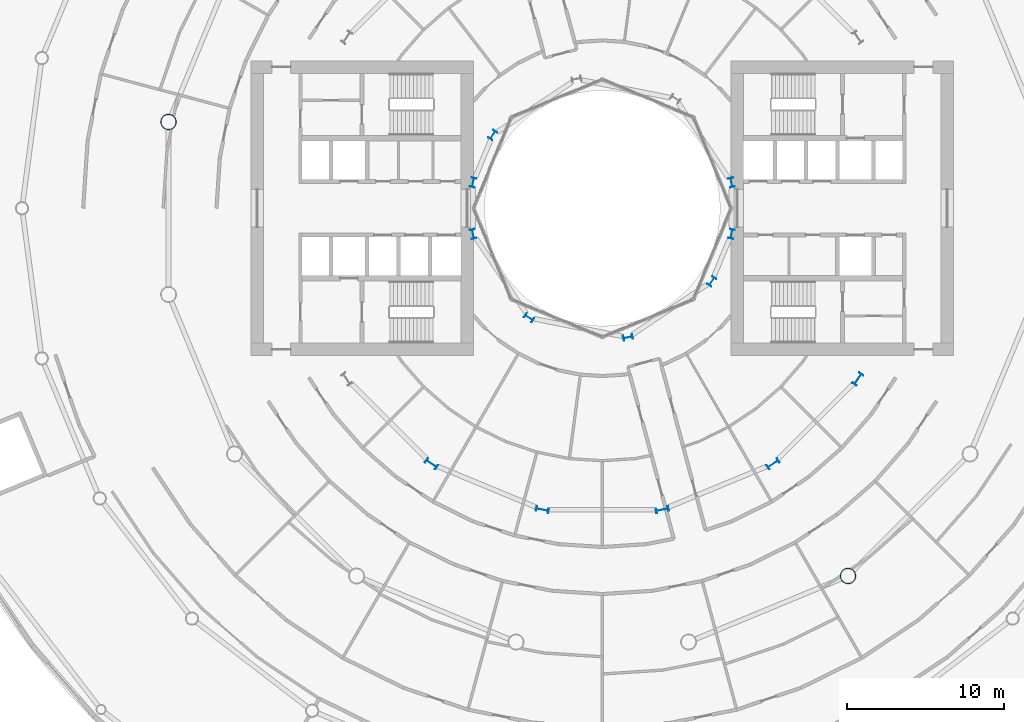
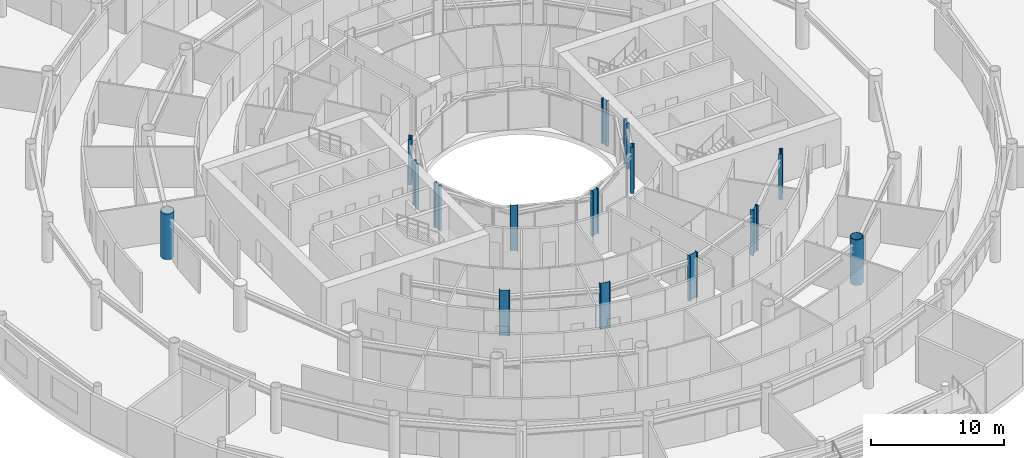
# One storey, part 2 of 29: 15 columns.
"""IFC4 building model written with IfcOpenShell, lengths in metres."""

from ifc_helpers import new_model, si_unit, direction, frame, origin, origin_2d, place, context, subcontext, project, spatial, hollow_circle, i_section, extrude, material, material_profile, profile_set, type_object, element, save


model = new_model("IFC4")

# Units and contexts
model_context = context("Model", 3, precision=1e-05, world=origin(), true_north=direction((0.0, 1.0)))
body_context = subcontext(model_context, "Body", "Model", "MODEL_VIEW")
ifc_project = project(units=[si_unit("LENGTHUNIT", "METRE"), si_unit("AREAUNIT", "SQUARE_METRE"), si_unit("VOLUMEUNIT", "CUBIC_METRE"), si_unit("PLANEANGLEUNIT", "RADIAN"), si_unit("MASSUNIT", "GRAM", prefix="KILO")], contexts=[model_context])

# Site, building, storey
site_placement = place(None, origin())
site = spatial("IfcSite", under=ifc_project, at=site_placement, CompositionType="ELEMENT")
building_placement = place(site_placement, origin())
building = spatial("IfcBuilding", under=site, at=building_placement, Name="Maasbend Ring Residences", CompositionType="ELEMENT")
storey_placement = place(building_placement, frame((0.0, 0.0, 5.39990234375)))
storey = spatial("IfcBuildingStorey", under=building, at=storey_placement, Name="L01", CompositionType="ELEMENT", Elevation=5.39990234375)

# Columns
ifc_material_1 = material(Name="Composite concrete-filled steel tube S460NH / C80/95", Category="concrete")
ifc_material_profile_1 = material_profile(ifc_material_1, hollow_circle(Radius=0.508056640625, WallThickness=0.050048828125, at=origin_2d()), Name="Composite tube column CHS 1016x50")
ifc_profile_set_1 = profile_set([ifc_material_profile_1], Name="Composite concrete-filled steel tube S460NH / C80/95")
column_type_1 = type_object("IfcColumnType", Name="Composite tube column CHS 1016x50", PredefinedType="COLUMN", material=ifc_profile_set_1)
for number, where, z_axis, x_axis, name in (
    (1, (-27.658203125, 5.50146484375, 0.0), (0.0, 0.0, 1.0), (1.0, 0.0, 0.0), "Outer column R8"),
    (2, (15.6669921875, -23.447509765625, 0.0), (0.0, 0.0, 1.0), (1.0, 0.0, 0.0), "Outer column R14"),
):
    element("IfcColumn", number, at=place(storey_placement, frame(where, z_axis=z_axis, x_axis=x_axis)), inside=storey, type_object=column_type_1, Name=name, PredefinedType="COLUMN", context=body_context, shape_type="SweptSolid", body=[
        extrude(hollow_circle(Radius=0.508056640625, WallThickness=0.050048828125, at=origin_2d()), origin(), (0.0, 0.0, 1.0), 4.2001953125),
    ])
ifc_material_2 = material(Name="Steel S460M", Category="steel")
ifc_material_profile_2 = material_profile(ifc_material_2, i_section(OverallWidth=0.300048828125, OverallDepth=0.60009765625, WebThickness=0.015380859375, FlangeThickness=0.030029296875, FilletRadius=0.027099609375, at=origin_2d()), Name="HEB 600")
ifc_profile_set_2 = profile_set([ifc_material_profile_2], Name="Steel S460M")
column_type_2 = type_object("IfcColumnType", Name="Steel column HEB 600", PredefinedType="COLUMN", material=ifc_profile_set_2)
for number, where, z_axis, x_axis, name in (
    (3, (8.238525390625, 1.638916015625, 0.0), (0.0, 0.0, 1.0), (0.980785280403, 0.195090322016, 0.0), "Well ring column R1"),
    (4, (-6.984375, 4.666748046875, 0.0), (0.0, 0.0, 1.0), (-0.831469612303, 0.55557023302, 0.0), "Well ring column R7"),
    (5, (-8.238525390625, 1.638916015625, 0.0), (0.0, 0.0, 1.0), (-0.980785280403, 0.195090322016, 0.0), "Well ring column R8"),
    (6, (-8.238525390625, -1.638916015625, 0.0), (0.0, 0.0, 1.0), (-0.980785280403, -0.195090322016, 0.0), "Well ring column R9"),
    (7, (-4.666748046875, -6.984375, 0.0), (0.0, 0.0, 1.0), (-0.55557023302, -0.831469612303, 0.0), "Well ring column R11"),
    (8, (1.638916015625, -8.238525390625, 0.0), (0.0, 0.0, 1.0), (0.195090322016, -0.980785280403, 0.0), "Well ring column R13"),
    (9, (6.984375, -4.666748046875, 0.0), (0.0, 0.0, 1.0), (0.831469612303, -0.55557023302, 0.0), "Well ring column R15"),
    (10, (8.238525390625, -1.638916015625, 0.0), (0.0, 0.0, 1.0), (0.980785280403, -0.195090322016, 0.0), "Well ring column R16"),
):
    element("IfcColumn", number, at=place(storey_placement, frame(where, z_axis=z_axis, x_axis=x_axis)), inside=storey, type_object=column_type_2, Name=name, PredefinedType="COLUMN", context=body_context, shape_type="SweptSolid", body=[
        extrude(i_section(OverallWidth=0.300048828125, OverallDepth=0.60009765625, WebThickness=0.015380859375, FlangeThickness=0.030029296875, FilletRadius=0.027099609375, at=origin_2d()), origin(), (0.0, 0.0, 1.0), 4.2001953125),
    ])
ifc_material_3 = material(Name="Steel S460M", Category="steel")
ifc_material_profile_3 = material_profile(ifc_material_3, i_section(OverallWidth=0.302978515625, OverallDepth=0.81396484375, WebThickness=0.02099609375, FlangeThickness=0.0400390625, FilletRadius=0.030029296875, at=origin_2d()), Name="HEM 800")
ifc_profile_set_3 = profile_set([ifc_material_profile_3], Name="Steel S460M")
column_type_3 = type_object("IfcColumnType", Name="Steel column HEM 800", PredefinedType="COLUMN", material=ifc_profile_set_3)
for number, where, z_axis, x_axis, name in (
    (11, (-10.88916015625, -16.296875, 0.0), (0.0, 0.0, 1.0), (-0.55557023302, -0.831469612303, 0.0), "Corridor ring column R11"),
    (12, (-3.82373046875, -19.223388671875, 0.0), (0.0, 0.0, 1.0), (-0.195090322016, -0.980785280403, 0.0), "Corridor ring column R12"),
    (13, (3.82373046875, -19.223388671875, 0.0), (0.0, 0.0, 1.0), (0.195090322016, -0.980785280403, 0.0), "Corridor ring column R13"),
    (14, (10.88916015625, -16.296875, 0.0), (0.0, 0.0, 1.0), (0.55557023302, -0.831469612303, 0.0), "Corridor ring column R14"),
    (15, (16.296875, -10.88916015625, 0.0), (0.0, 0.0, 1.0), (0.831469612303, -0.55557023302, 0.0), "Corridor ring column R15"),
):
    element("IfcColumn", number, at=place(storey_placement, frame(where, z_axis=z_axis, x_axis=x_axis)), inside=storey, type_object=column_type_3, Name=name, PredefinedType="COLUMN", context=body_context, shape_type="SweptSolid", body=[
        extrude(i_section(OverallWidth=0.302978515625, OverallDepth=0.81396484375, WebThickness=0.02099609375, FlangeThickness=0.0400390625, FilletRadius=0.030029296875, at=origin_2d()), origin(), (0.0, 0.0, 1.0), 4.2001953125),
    ])

save(model, "model.ifc")
